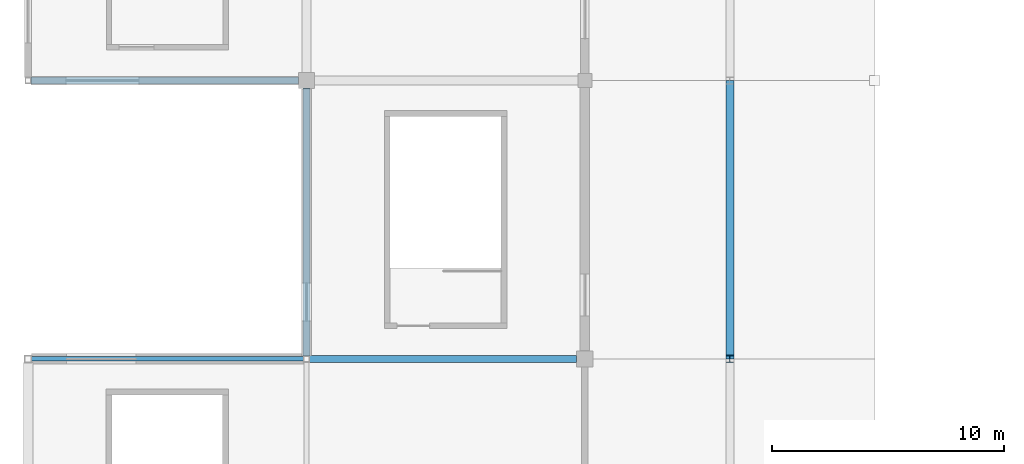
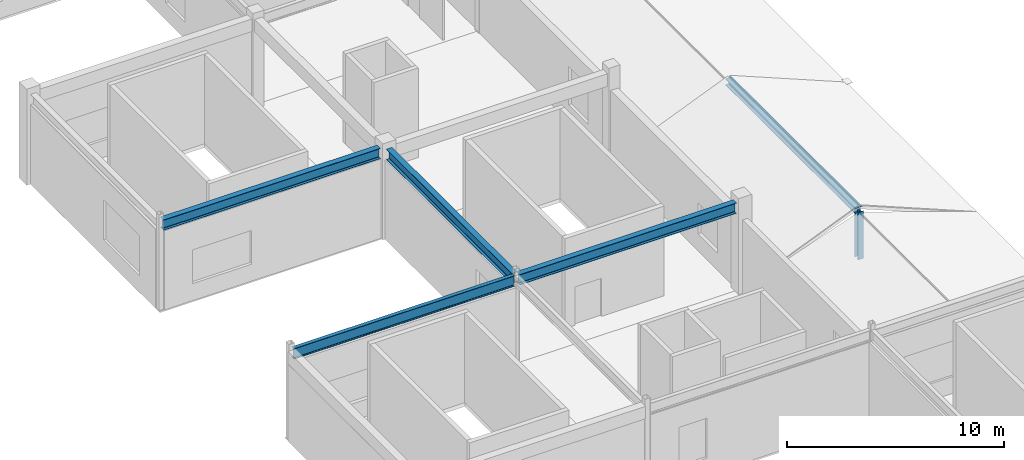
# One storey, part 27 of 76: 4 beams, 2 members.
"""IFC4 building model written with IfcOpenShell, lengths in metres."""

from ifc_helpers import new_model, si_unit, direction, frame, origin, origin_2d, place, context, subcontext, project, spatial, i_section, extrude, material, material_profile, profile_set, type_object, element, save


model = new_model("IFC4")

# Units and contexts
model_context = context("Model", 3, precision=1e-05, world=origin(), true_north=direction((0.0, 1.0)))
body_context = subcontext(model_context, "Body", "Model", "MODEL_VIEW")
ifc_project = project(units=[si_unit("LENGTHUNIT", "METRE"), si_unit("AREAUNIT", "SQUARE_METRE"), si_unit("VOLUMEUNIT", "CUBIC_METRE"), si_unit("PLANEANGLEUNIT", "RADIAN"), si_unit("MASSUNIT", "GRAM", prefix="KILO")], contexts=[model_context])

# Site, building, storey
site_placement = place(None, origin())
site = spatial("IfcSite", under=ifc_project, at=site_placement, CompositionType="ELEMENT")
building_placement = place(site_placement, origin())
building = spatial("IfcBuilding", under=site, at=building_placement, Name="Kazenohara Klinker Stadium", CompositionType="ELEMENT")
storey_placement = place(building_placement, frame((0.0, 0.0, 25.800048828125)))
storey = spatial("IfcBuildingStorey", under=building, at=storey_placement, Name="L05", CompositionType="ELEMENT", Elevation=25.800048828125)

# Beams
ifc_material = material(Name="Steel S355", Category="steel")
ifc_material_profile_1 = material_profile(ifc_material, i_section(OverallWidth=0.199951171875, OverallDepth=0.60009765625, WebThickness=0.010986328125, FlangeThickness=0.01708984375, FilletRadius=0.012939453125, at=origin_2d()), Name="H-600x200x11x17")
ifc_profile_set_1 = profile_set([ifc_material_profile_1], Name="Steel S355")
beam_type_1 = type_object("IfcBeamType", Name="BM-ST04", PredefinedType="BEAM", material=ifc_profile_set_1)
beam_placement = place(storey_placement, frame((0.14990234375, 48.0, 4.739990234375), z_axis=(1.0, 0.0, 0.0), x_axis=(0.0, 1.0, 0.0)))
element("IfcBeam", 1, at=beam_placement, inside=storey, type_object=beam_type_1, Name="Primary girder SB04 L05 1-2/E", PredefinedType="BEAM", context=body_context, shape_type="SweptSolid", body=[
    extrude(i_section(OverallWidth=0.199951171875, OverallDepth=0.60009765625, WebThickness=0.010986328125, FlangeThickness=0.01708984375, FilletRadius=0.012939453125, at=origin_2d()), origin(), (0.0, 0.0, 1.0), 11.72509765625),
])
ifc_material_profile_2 = material_profile(ifc_material, i_section(OverallWidth=0.300048828125, OverallDepth=0.587890625, WebThickness=0.011962890625, FlangeThickness=0.02001953125, FilletRadius=0.02197265625, at=origin_2d()), Name="H-588x300x12x20")
ifc_profile_set_2 = profile_set([ifc_material_profile_2], Name="Steel S355")
beam_type_2 = type_object("IfcBeamType", Name="BM-ST05", PredefinedType="BEAM", material=ifc_profile_set_2)
for number, where, z_axis, x_axis, name in (
    (2, (0.125, 60.0, 4.745849609375), (1.0, 0.0, 0.0), (0.0, 1.0, 0.0), "Primary girder SB05 L05 1-2/F"),
    (3, (12.125, 48.0, 4.745849609375), (1.0, 0.0, 0.0), (0.0, 1.0, 0.0), "Primary girder SB05 L05 2-3/E"),
    (4, (12.0, 48.125, 4.745849609375), (0.0, 1.0, 0.0), (-1.0, 0.0, 0.0), "Primary girder SB05 L05 2/E-F"),
):
    element("IfcBeam", number, at=place(storey_placement, frame(where, z_axis=z_axis, x_axis=x_axis)), inside=storey, type_object=beam_type_2, Name=name, PredefinedType="BEAM", context=body_context, shape_type="SweptSolid", body=[
        extrude(i_section(OverallWidth=0.300048828125, OverallDepth=0.587890625, WebThickness=0.011962890625, FlangeThickness=0.02001953125, FilletRadius=0.02197265625, at=origin_2d()), origin(), (0.0, 0.0, 1.0), 11.52490234375),
    ])

# Members
ifc_material_profile_3 = material_profile(ifc_material, i_section(OverallWidth=0.35009765625, OverallDepth=0.35009765625, WebThickness=0.011962890625, FlangeThickness=0.01904296875, FilletRadius=0.012939453125, at=origin_2d()), Name="H-350x350x12x19")
ifc_profile_set_3 = profile_set([ifc_material_profile_3], Name="Steel S355")
member_type_1 = type_object("IfcMemberType", Name="MEM-CHD02", PredefinedType="CHORD", material=ifc_profile_set_3)
member_1_placement = place(storey_placement, frame((30.25, 48.0, 2.22998046875), z_axis=(0.0, 1.0, 0.0), x_axis=(-1.0, 0.0, 0.0)))
element("IfcMember", 5, at=member_1_placement, inside=storey, type_object=member_type_1, Name="Stepped pavilion gable ridge beam L05 3/E", PredefinedType="CHORD", context=body_context, shape_type="SweptSolid", body=[
    extrude(i_section(OverallWidth=0.35009765625, OverallDepth=0.35009765625, WebThickness=0.011962890625, FlangeThickness=0.01904296875, FilletRadius=0.012939453125, at=origin_2d()), origin(), (0.0, 0.0, 1.0), 12.0),
])
ifc_material_profile_4 = material_profile(ifc_material, i_section(OverallWidth=0.300048828125, OverallDepth=0.300048828125, WebThickness=0.010009765625, FlangeThickness=0.014892578125, FilletRadius=0.012939453125, at=origin_2d()), Name="H-300x300x10x15")
ifc_profile_set_4 = profile_set([ifc_material_profile_4], Name="Steel S355")
member_type_2 = type_object("IfcMemberType", Name="MEM-STR01", PredefinedType="STRUT", material=ifc_profile_set_4)
member_2_placement = place(storey_placement, frame((30.25, 48.0, -0.429931640625), z_axis=(0.0, 0.0, 1.0), x_axis=(1.0, 0.0, 0.0)))
element("IfcMember", 6, at=member_2_placement, inside=storey, type_object=member_type_2, Name="Stepped pavilion gable king-post L05 3/E S", PredefinedType="STRUT", context=body_context, shape_type="SweptSolid", body=[
    extrude(i_section(OverallWidth=0.300048828125, OverallDepth=0.300048828125, WebThickness=0.010009765625, FlangeThickness=0.014892578125, FilletRadius=0.012939453125, at=origin_2d()), origin(), (0.0, 0.0, 1.0), 2.659912109375),
])

save(model, "model.ifc")
